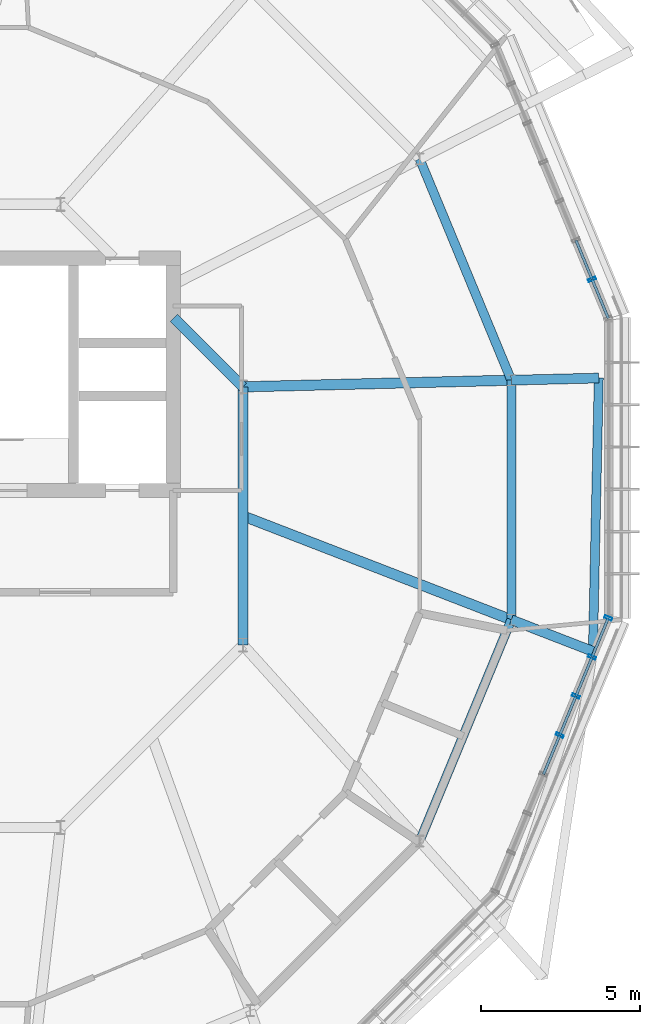
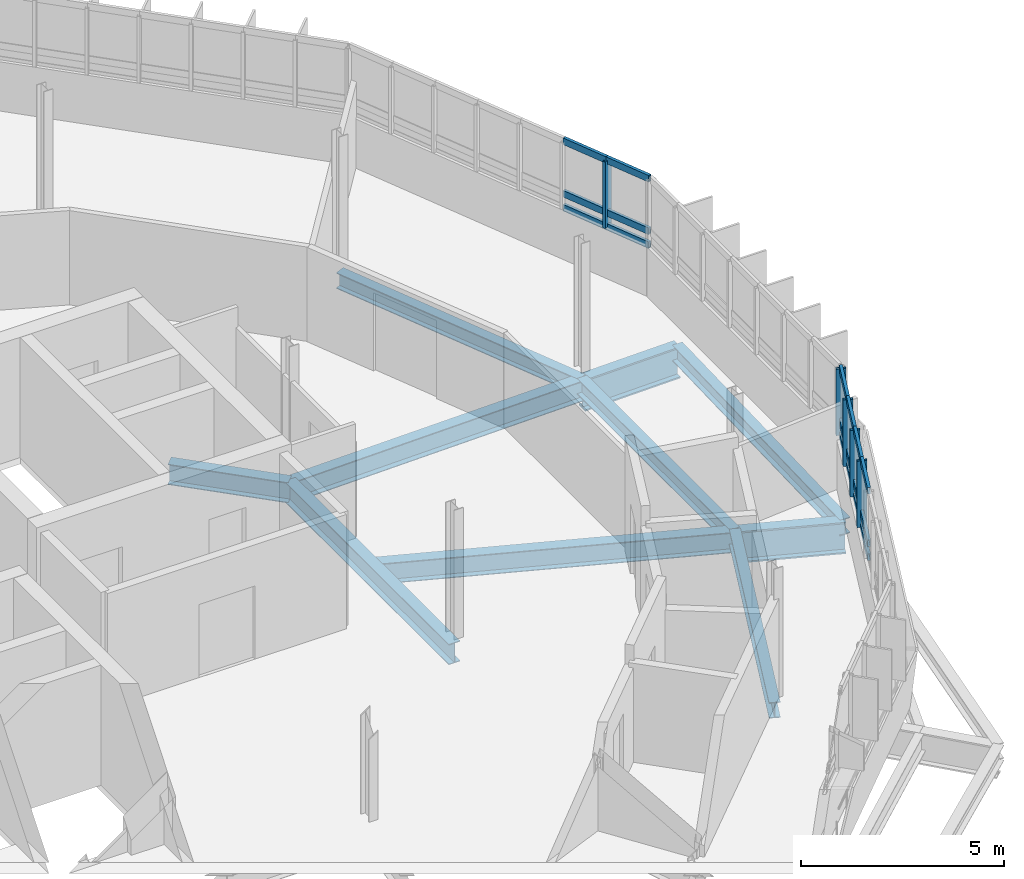
# One storey, part 14 of 31: 23 members, 10 beams, 2 elements without a shape of their own.
"""IFC4 building model written with IfcOpenShell, lengths in metres."""

from ifc_helpers import new_model, si_unit, derived_unit, direction, frame, origin, origin_2d, place, context, subcontext, project, spatial, hollow_rectangle, i_section, extrude, material, layer, layer_set, material_profile, profile_set, type_object, element, aggregate, save


model = new_model("IFC4")

# Units and contexts
model_context = context("Model", 3, precision=1e-05, world=origin(), true_north=direction((0.0, 1.0)))
body_context = subcontext(model_context, "Body", "Model", "MODEL_VIEW")
ifc_project = project(units=[si_unit("LENGTHUNIT", "METRE"), si_unit("AREAUNIT", "SQUARE_METRE"), si_unit("VOLUMEUNIT", "CUBIC_METRE"), si_unit("PLANEANGLEUNIT", "RADIAN"), si_unit("MASSUNIT", "GRAM", prefix="KILO"), derived_unit("THERMALTRANSMITTANCEUNIT", [(si_unit("MASSUNIT", "GRAM", prefix="KILO"), 1), (si_unit("TIMEUNIT", "SECOND"), -3), (si_unit("THERMODYNAMICTEMPERATUREUNIT", "KELVIN"), -1)])], contexts=[model_context])

# Site, building, storey
site_placement = place(None, origin())
site = spatial("IfcSite", under=ifc_project, at=site_placement, CompositionType="ELEMENT")
building_placement = place(site_placement, origin())
building = spatial("IfcBuilding", under=site, at=building_placement, Name="Makaiwela Harbour Ferry Terminal", CompositionType="ELEMENT")
storey_placement = place(building_placement, frame((0.0, 0.0, 21.60009765625)))
storey = spatial("IfcBuildingStorey", under=building, at=storey_placement, Name="L05", CompositionType="ELEMENT", Elevation=21.60009765625)

# Curtain wall, member
ifc_material_1 = material(Name="Marine anodised aluminium 6063-T6", Category="aluminium")
ifc_layer = layer(ifc_material_1, 0.199951171875)
ifc_layer_set = layer_set([ifc_layer], Name="Marine anodised aluminium 6063-T6")
curtain_wall_type = type_object("IfcCurtainWallType", Name="ENV-CW-07", PredefinedType="USERDEFINED", material=ifc_layer_set)
curtain_wall_1_placement = place(storey_placement, origin())
curtain_wall_1 = element("IfcCurtainWall", 1, at=curtain_wall_1_placement, inside=storey, type_object=curtain_wall_type, Name="Unitised Curtain Wall CWA-058", ObjectType="UNITIZED CURTAIN WALL", PredefinedType="USERDEFINED")
ifc_material_profile_1 = material_profile(ifc_material_1, hollow_rectangle(XDim=0.0849609375, YDim=0.25, WallThickness=0.0048828125, at=origin_2d()), Name="CWM-250X85")
ifc_profile_set_1 = profile_set([ifc_material_profile_1], Name="Marine anodised aluminium 6063-T6")
member_type_1 = type_object("IfcMemberType", Name="CW-MUL-250", PredefinedType="MULLION", material=ifc_profile_set_1)
member_1_placement = place(storey_placement, frame((58.568603515625, 75.037841796875, 1.47998046875), z_axis=(0.0, 0.0, 1.0), x_axis=(-0.382683432365, 0.923879532511, 0.0)))
member_1 = element("IfcMember", 2, at=member_1_placement, type_object=member_type_1, Name="Curtain Wall Mullion CWA-058-2", PredefinedType="MULLION", context=body_context, shape_type="SweptSolid", body=[
    extrude(hollow_rectangle(XDim=0.0849609375, YDim=0.25, WallThickness=0.0048828125, at=origin_2d()), origin(), (0.0, 0.0, 1.0), 2.0),
])

# Curtain wall, members
curtain_wall_2_placement = place(storey_placement, origin())
curtain_wall_2 = element("IfcCurtainWall", 3, at=curtain_wall_2_placement, inside=storey, type_object=curtain_wall_type, Name="Unitised Curtain Wall CWA-070", ObjectType="UNITIZED CURTAIN WALL", PredefinedType="USERDEFINED")
member_2_placement = place(storey_placement, frame((57.551513671875, 60.7060546875, 1.47998046875), z_axis=(0.0, 0.0, 1.0), x_axis=(0.382683432365, 0.923879532511, 0.0)))
member_2 = element("IfcMember", 4, at=member_2_placement, type_object=member_type_1, Name="Curtain Wall Mullion CWA-070-5", PredefinedType="MULLION", context=body_context, shape_type="SweptSolid", body=[
    extrude(hollow_rectangle(XDim=0.0849609375, YDim=0.25, WallThickness=0.0048828125, at=origin_2d()), origin(), (0.0, 0.0, 1.0), 2.0),
])
member_3_placement = place(storey_placement, frame((58.06005859375, 61.93408203125, 1.47998046875), z_axis=(0.0, 0.0, 1.0), x_axis=(0.382683432365, 0.923879532511, 0.0)))
member_3 = element("IfcMember", 5, at=member_3_placement, type_object=member_type_1, Name="Curtain Wall Mullion CWA-070-6", PredefinedType="MULLION", context=body_context, shape_type="SweptSolid", body=[
    extrude(hollow_rectangle(XDim=0.0849609375, YDim=0.25, WallThickness=0.0048828125, at=origin_2d()), origin(), (0.0, 0.0, 1.0), 2.0),
])
member_4_placement = place(storey_placement, frame((58.568603515625, 63.162109375, 1.47998046875), z_axis=(0.0, 0.0, 1.0), x_axis=(0.382683432365, 0.923879532511, 0.0)))
member_4 = element("IfcMember", 6, at=member_4_placement, type_object=member_type_1, Name="Curtain Wall Mullion CWA-070-7", PredefinedType="MULLION", context=body_context, shape_type="SweptSolid", body=[
    extrude(hollow_rectangle(XDim=0.0849609375, YDim=0.25, WallThickness=0.0048828125, at=origin_2d()), origin(), (0.0, 0.0, 1.0), 2.0),
])
member_5_placement = place(storey_placement, frame((59.077392578125, 64.39013671875, 1.47998046875), z_axis=(0.0, 0.0, 1.0), x_axis=(0.382683432365, 0.923879532511, 0.0)))
member_5 = element("IfcMember", 7, at=member_5_placement, type_object=member_type_1, Name="Curtain Wall Mullion CWA-070-8", PredefinedType="MULLION", context=body_context, shape_type="SweptSolid", body=[
    extrude(hollow_rectangle(XDim=0.0849609375, YDim=0.25, WallThickness=0.0048828125, at=origin_2d()), origin(), (0.0, 0.0, 1.0), 2.0),
])

# Member
ifc_material_profile_2 = material_profile(ifc_material_1, hollow_rectangle(XDim=0.0849609375, YDim=0.199951171875, WallThickness=0.0048828125, at=origin_2d()), Name="CWT-200X85")
ifc_profile_set_2 = profile_set([ifc_material_profile_2], Name="Marine anodised aluminium 6063-T6")
member_type_2 = type_object("IfcMemberType", Name="CW-TRN-200", PredefinedType="USERDEFINED", material=ifc_profile_set_2)
member_6_placement = place(storey_placement, frame((59.077392578125, 73.809814453125, 1.47998046875), z_axis=(-0.382762722221, 0.923846685591, 0.0), x_axis=(-0.923846685591, -0.382762722221, 0.0)))
member_6 = element("IfcMember", 8, at=member_6_placement, type_object=member_type_2, Name="Curtain Wall Transom CWA-058-1-1", ObjectType="TRANSOM", PredefinedType="USERDEFINED", context=body_context, shape_type="SweptSolid", body=[
    extrude(hollow_rectangle(XDim=0.0849609375, YDim=0.199951171875, WallThickness=0.0048828125, at=origin_2d()), origin(), (0.0, 0.0, 1.0), 1.329345703125),
])

member_7_placement = place(storey_placement, frame((59.077392578125, 73.809814453125, 1.89990234375), z_axis=(-0.382762722221, 0.923846685591, 0.0), x_axis=(-0.923846685591, -0.382762722221, 0.0)))
member_7 = element("IfcMember", 9, at=member_7_placement, type_object=member_type_2, Name="Curtain Wall Transom CWA-058-1-2", ObjectType="TRANSOM", PredefinedType="USERDEFINED", context=body_context, shape_type="SweptSolid", body=[
    extrude(hollow_rectangle(XDim=0.0849609375, YDim=0.199951171875, WallThickness=0.0048828125, at=origin_2d()), origin(), (0.0, 0.0, 1.0), 1.329345703125),
])

member_8_placement = place(storey_placement, frame((59.077392578125, 73.809814453125, 3.47998046875), z_axis=(-0.382762722221, 0.923846685591, 0.0), x_axis=(-0.923846685591, -0.382762722221, 0.0)))
member_8 = element("IfcMember", 10, at=member_8_placement, type_object=member_type_2, Name="Curtain Wall Transom CWA-058-1-3", ObjectType="TRANSOM", PredefinedType="USERDEFINED", context=body_context, shape_type="SweptSolid", body=[
    extrude(hollow_rectangle(XDim=0.0849609375, YDim=0.199951171875, WallThickness=0.0048828125, at=origin_2d()), origin(), (0.0, 0.0, 1.0), 1.329345703125),
])

member_9_placement = place(storey_placement, frame((58.568603515625, 75.037841796875, 1.47998046875), z_axis=(-0.382605946964, 0.923911624209, 0.0), x_axis=(-0.923911624209, -0.382605946964, 0.0)))
member_9 = element("IfcMember", 11, at=member_9_placement, type_object=member_type_2, Name="Curtain Wall Transom CWA-058-2-1", ObjectType="TRANSOM", PredefinedType="USERDEFINED", context=body_context, shape_type="SweptSolid", body=[
    extrude(hollow_rectangle(XDim=0.0849609375, YDim=0.199951171875, WallThickness=0.0048828125, at=origin_2d()), origin(), (0.0, 0.0, 1.0), 1.3291015625),
])

member_10_placement = place(storey_placement, frame((58.568603515625, 75.037841796875, 1.89990234375), z_axis=(-0.382605946964, 0.923911624209, 0.0), x_axis=(-0.923911624209, -0.382605946964, 0.0)))
member_10 = element("IfcMember", 12, at=member_10_placement, type_object=member_type_2, Name="Curtain Wall Transom CWA-058-2-2", ObjectType="TRANSOM", PredefinedType="USERDEFINED", context=body_context, shape_type="SweptSolid", body=[
    extrude(hollow_rectangle(XDim=0.0849609375, YDim=0.199951171875, WallThickness=0.0048828125, at=origin_2d()), origin(), (0.0, 0.0, 1.0), 1.3291015625),
])

member_11_placement = place(storey_placement, frame((58.568603515625, 75.037841796875, 3.47998046875), z_axis=(-0.382605946964, 0.923911624209, 0.0), x_axis=(-0.923911624209, -0.382605946964, 0.0)))
member_11 = element("IfcMember", 13, at=member_11_placement, type_object=member_type_2, Name="Curtain Wall Transom CWA-058-2-3", ObjectType="TRANSOM", PredefinedType="USERDEFINED", context=body_context, shape_type="SweptSolid", body=[
    extrude(hollow_rectangle(XDim=0.0849609375, YDim=0.199951171875, WallThickness=0.0048828125, at=origin_2d()), origin(), (0.0, 0.0, 1.0), 1.3291015625),
])

aggregate(curtain_wall_1, [member_1, member_6, member_7, member_8, member_9, member_10, member_11])

member_12_placement = place(storey_placement, frame((57.042724609375, 59.47802734375, 1.47998046875), z_axis=(0.382762722221, 0.923846685591, 0.0), x_axis=(-0.923846685591, 0.382762722221, 0.0)))
member_12 = element("IfcMember", 14, at=member_12_placement, type_object=member_type_2, Name="Curtain Wall Transom CWA-070-4-1", ObjectType="TRANSOM", PredefinedType="USERDEFINED", context=body_context, shape_type="SweptSolid", body=[
    extrude(hollow_rectangle(XDim=0.0849609375, YDim=0.199951171875, WallThickness=0.0048828125, at=origin_2d()), origin(), (0.0, 0.0, 1.0), 1.329345703125),
])

member_13_placement = place(storey_placement, frame((57.042724609375, 59.47802734375, 1.89990234375), z_axis=(0.382762722221, 0.923846685591, 0.0), x_axis=(-0.923846685591, 0.382762722221, 0.0)))
member_13 = element("IfcMember", 15, at=member_13_placement, type_object=member_type_2, Name="Curtain Wall Transom CWA-070-4-2", ObjectType="TRANSOM", PredefinedType="USERDEFINED", context=body_context, shape_type="SweptSolid", body=[
    extrude(hollow_rectangle(XDim=0.0849609375, YDim=0.199951171875, WallThickness=0.0048828125, at=origin_2d()), origin(), (0.0, 0.0, 1.0), 1.329345703125),
])

member_14_placement = place(storey_placement, frame((57.042724609375, 59.47802734375, 3.47998046875), z_axis=(0.382762722221, 0.923846685591, 0.0), x_axis=(-0.923846685591, 0.382762722221, 0.0)))
member_14 = element("IfcMember", 16, at=member_14_placement, type_object=member_type_2, Name="Curtain Wall Transom CWA-070-4-3", ObjectType="TRANSOM", PredefinedType="USERDEFINED", context=body_context, shape_type="SweptSolid", body=[
    extrude(hollow_rectangle(XDim=0.0849609375, YDim=0.199951171875, WallThickness=0.0048828125, at=origin_2d()), origin(), (0.0, 0.0, 1.0), 1.329345703125),
])

member_15_placement = place(storey_placement, frame((57.551513671875, 60.7060546875, 1.47998046875), z_axis=(0.382605946964, 0.923911624209, 0.0), x_axis=(-0.923911624209, 0.382605946964, 0.0)))
member_15 = element("IfcMember", 17, at=member_15_placement, type_object=member_type_2, Name="Curtain Wall Transom CWA-070-5-1", ObjectType="TRANSOM", PredefinedType="USERDEFINED", context=body_context, shape_type="SweptSolid", body=[
    extrude(hollow_rectangle(XDim=0.0849609375, YDim=0.199951171875, WallThickness=0.0048828125, at=origin_2d()), origin(), (0.0, 0.0, 1.0), 1.3291015625),
])

member_16_placement = place(storey_placement, frame((57.551513671875, 60.7060546875, 1.89990234375), z_axis=(0.382605946964, 0.923911624209, 0.0), x_axis=(-0.923911624209, 0.382605946964, 0.0)))
member_16 = element("IfcMember", 18, at=member_16_placement, type_object=member_type_2, Name="Curtain Wall Transom CWA-070-5-2", ObjectType="TRANSOM", PredefinedType="USERDEFINED", context=body_context, shape_type="SweptSolid", body=[
    extrude(hollow_rectangle(XDim=0.0849609375, YDim=0.199951171875, WallThickness=0.0048828125, at=origin_2d()), origin(), (0.0, 0.0, 1.0), 1.3291015625),
])

member_17_placement = place(storey_placement, frame((57.551513671875, 60.7060546875, 3.47998046875), z_axis=(0.382605946964, 0.923911624209, 0.0), x_axis=(-0.923911624209, 0.382605946964, 0.0)))
member_17 = element("IfcMember", 19, at=member_17_placement, type_object=member_type_2, Name="Curtain Wall Transom CWA-070-5-3", ObjectType="TRANSOM", PredefinedType="USERDEFINED", context=body_context, shape_type="SweptSolid", body=[
    extrude(hollow_rectangle(XDim=0.0849609375, YDim=0.199951171875, WallThickness=0.0048828125, at=origin_2d()), origin(), (0.0, 0.0, 1.0), 1.3291015625),
])

member_18_placement = place(storey_placement, frame((58.06005859375, 61.93408203125, 1.47998046875), z_axis=(0.382605946964, 0.923911624209, 0.0), x_axis=(-0.923911624209, 0.382605946964, 0.0)))
member_18 = element("IfcMember", 20, at=member_18_placement, type_object=member_type_2, Name="Curtain Wall Transom CWA-070-6-1", ObjectType="TRANSOM", PredefinedType="USERDEFINED", context=body_context, shape_type="SweptSolid", body=[
    extrude(hollow_rectangle(XDim=0.0849609375, YDim=0.199951171875, WallThickness=0.0048828125, at=origin_2d()), origin(), (0.0, 0.0, 1.0), 1.3291015625),
])

member_19_placement = place(storey_placement, frame((58.06005859375, 61.93408203125, 1.89990234375), z_axis=(0.382605946964, 0.923911624209, 0.0), x_axis=(-0.923911624209, 0.382605946964, 0.0)))
member_19 = element("IfcMember", 21, at=member_19_placement, type_object=member_type_2, Name="Curtain Wall Transom CWA-070-6-2", ObjectType="TRANSOM", PredefinedType="USERDEFINED", context=body_context, shape_type="SweptSolid", body=[
    extrude(hollow_rectangle(XDim=0.0849609375, YDim=0.199951171875, WallThickness=0.0048828125, at=origin_2d()), origin(), (0.0, 0.0, 1.0), 1.3291015625),
])

member_20_placement = place(storey_placement, frame((58.06005859375, 61.93408203125, 3.47998046875), z_axis=(0.382605946964, 0.923911624209, 0.0), x_axis=(-0.923911624209, 0.382605946964, 0.0)))
member_20 = element("IfcMember", 22, at=member_20_placement, type_object=member_type_2, Name="Curtain Wall Transom CWA-070-6-3", ObjectType="TRANSOM", PredefinedType="USERDEFINED", context=body_context, shape_type="SweptSolid", body=[
    extrude(hollow_rectangle(XDim=0.0849609375, YDim=0.199951171875, WallThickness=0.0048828125, at=origin_2d()), origin(), (0.0, 0.0, 1.0), 1.3291015625),
])

member_21_placement = place(storey_placement, frame((58.568603515625, 63.162109375, 1.47998046875), z_axis=(0.382762722221, 0.923846685591, 0.0), x_axis=(-0.923846685591, 0.382762722221, 0.0)))
member_21 = element("IfcMember", 23, at=member_21_placement, type_object=member_type_2, Name="Curtain Wall Transom CWA-070-7-1", ObjectType="TRANSOM", PredefinedType="USERDEFINED", context=body_context, shape_type="SweptSolid", body=[
    extrude(hollow_rectangle(XDim=0.0849609375, YDim=0.199951171875, WallThickness=0.0048828125, at=origin_2d()), origin(), (0.0, 0.0, 1.0), 1.329345703125),
])

member_22_placement = place(storey_placement, frame((58.568603515625, 63.162109375, 1.89990234375), z_axis=(0.382762722221, 0.923846685591, 0.0), x_axis=(-0.923846685591, 0.382762722221, 0.0)))
member_22 = element("IfcMember", 24, at=member_22_placement, type_object=member_type_2, Name="Curtain Wall Transom CWA-070-7-2", ObjectType="TRANSOM", PredefinedType="USERDEFINED", context=body_context, shape_type="SweptSolid", body=[
    extrude(hollow_rectangle(XDim=0.0849609375, YDim=0.199951171875, WallThickness=0.0048828125, at=origin_2d()), origin(), (0.0, 0.0, 1.0), 1.329345703125),
])

member_23_placement = place(storey_placement, frame((58.568603515625, 63.162109375, 3.47998046875), z_axis=(0.382762722221, 0.923846685591, 0.0), x_axis=(-0.923846685591, 0.382762722221, 0.0)))
member_23 = element("IfcMember", 25, at=member_23_placement, type_object=member_type_2, Name="Curtain Wall Transom CWA-070-7-3", ObjectType="TRANSOM", PredefinedType="USERDEFINED", context=body_context, shape_type="SweptSolid", body=[
    extrude(hollow_rectangle(XDim=0.0849609375, YDim=0.199951171875, WallThickness=0.0048828125, at=origin_2d()), origin(), (0.0, 0.0, 1.0), 1.329345703125),
])

aggregate(curtain_wall_2, [member_2, member_3, member_4, member_5, member_12, member_13, member_14, member_15, member_16, member_17, member_18, member_19, member_20, member_21, member_22, member_23])

# Beams
ifc_material_2 = material(Name="Steel ASTM A992 Grade 50", Category="steel")
ifc_material_profile_3 = material_profile(ifc_material_2, i_section(OverallWidth=0.324951171875, OverallDepth=0.615966796875, WebThickness=0.013916015625, FlangeThickness=0.021484375, at=origin_2d()), Name="W24X117")
ifc_profile_set_3 = profile_set([ifc_material_profile_3], Name="Steel ASTM A992 Grade 50")
beam_type_1 = type_object("IfcBeamType", Name="STR-GRD-W24X117", PredefinedType="USERDEFINED", material=ifc_profile_set_3)
beam_1_placement = place(storey_placement, frame((47.593017578125, 71.656494140625, -0.55810546875), z_axis=(-0.707106781187, 0.707106781187, 0.0), x_axis=(-0.707106781187, -0.707106781187, 0.0)))
element("IfcBeam", 26, at=beam_1_placement, inside=storey, type_object=beam_type_1, Name="Drum inner ring girder 496", ObjectType="GIRDER", PredefinedType="USERDEFINED", context=body_context, shape_type="SweptSolid", body=[
    extrude(i_section(OverallWidth=0.324951171875, OverallDepth=0.615966796875, WebThickness=0.013916015625, FlangeThickness=0.021484375, at=origin_2d()), origin(), (0.0, 0.0, 1.0), 3.0732421875),
])
beam_2_placement = place(storey_placement, frame((47.593017578125, 63.543701171875, -0.55810546875), z_axis=(0.0, 1.0, 0.0), x_axis=(-1.0, 0.0, 0.0)))
element("IfcBeam", 27, at=beam_2_placement, inside=storey, type_object=beam_type_1, Name="Drum inner ring girder 506", ObjectType="GIRDER", PredefinedType="USERDEFINED", context=body_context, shape_type="SweptSolid", body=[
    extrude(i_section(OverallWidth=0.324951171875, OverallDepth=0.615966796875, WebThickness=0.013916015625, FlangeThickness=0.021484375, at=origin_2d()), origin(), (0.0, 0.0, 1.0), 8.11279296875),
])
beam_3_placement = place(storey_placement, frame((47.593017578125, 71.656494140625, -0.55810546875), z_axis=(0.999694028426, 0.024735592369, 0.0), x_axis=(-0.024735592369, 0.999694028426, 0.0)))
element("IfcBeam", 28, at=beam_3_placement, inside=storey, type_object=beam_type_1, Name="Drum radial girder 523", ObjectType="GIRDER", PredefinedType="USERDEFINED", context=body_context, shape_type="SweptSolid", body=[
    extrude(i_section(OverallWidth=0.324951171875, OverallDepth=0.615966796875, WebThickness=0.013916015625, FlangeThickness=0.021484375, at=origin_2d()), origin(), (0.0, 0.0, 1.0), 8.43896484375),
])
beam_4_placement = place(storey_placement, frame((47.593017578125, 67.60009765625, -0.55810546875), z_axis=(0.932578355868, -0.360967602655, 0.0), x_axis=(0.360967602655, 0.932578355868, 0.0)))
element("IfcBeam", 29, at=beam_4_placement, inside=storey, type_object=beam_type_1, Name="Drum radial girder 577", ObjectType="GIRDER", PredefinedType="USERDEFINED", context=body_context, shape_type="SweptSolid", body=[
    extrude(i_section(OverallWidth=0.324951171875, OverallDepth=0.615966796875, WebThickness=0.013916015625, FlangeThickness=0.021484375, at=origin_2d()), origin(), (0.0, 0.0, 1.0), 9.046142578125),
])
ifc_material_profile_4 = material_profile(ifc_material_2, i_section(OverallWidth=0.31005859375, OverallDepth=0.949951171875, WebThickness=0.0244140625, FlangeThickness=0.0439453125, at=origin_2d()), Name="W36X256")
ifc_profile_set_4 = profile_set([ifc_material_profile_4], Name="Steel ASTM A992 Grade 50")
beam_type_2 = type_object("IfcBeamType", Name="STR-GRD-W36X256", PredefinedType="USERDEFINED", material=ifc_profile_set_4)
for number, where, z_axis, x_axis, name in (
    (30, (56.029296875, 71.865234375, -0.72509765625), (0.999695361824, 0.024681643924, 0.0), (-0.024681643924, 0.999695361824, 0.0), "Drum radial overhang 524"),
    (31, (56.029296875, 64.334716796875, -0.72509765625), (0.932599912702, -0.360911904525, 0.0), (0.360911904525, 0.932599912702, 0.0), "Drum radial overhang 578"),
):
    element("IfcBeam", number, at=place(storey_placement, frame(where, z_axis=z_axis, x_axis=x_axis)), inside=storey, type_object=beam_type_2, Name=name, ObjectType="GIRDER", PredefinedType="USERDEFINED", context=body_context, shape_type="SweptSolid", body=[
        extrude(i_section(OverallWidth=0.31005859375, OverallDepth=0.949951171875, WebThickness=0.0244140625, FlangeThickness=0.0439453125, at=origin_2d()), origin(), (0.0, 0.0, 1.0), 2.749755859375),
    ])
ifc_material_profile_5 = material_profile(ifc_material_2, i_section(OverallWidth=0.283935546875, OverallDepth=0.47607421875, WebThickness=0.014892578125, FlangeThickness=0.02392578125, at=origin_2d()), Name="W18X106")
ifc_profile_set_5 = profile_set([ifc_material_profile_5], Name="Steel ASTM A992 Grade 50")
beam_type_3 = type_object("IfcBeamType", Name="STR-SPN-W18X106", PredefinedType="SPANDREL", material=ifc_profile_set_5)
for number, where, z_axis, x_axis, name in (
    (32, (56.029296875, 71.865234375, -0.488037109375), (-0.382687752376, 0.923877743092, 0.0), (-0.923877743092, -0.382687752376, 0.0), "Drum column ring girder 507"),
    (33, (53.1474609375, 57.37744140625, -0.488037109375), (0.382687752376, 0.923877743092, 0.0), (-0.923877743092, 0.382687752376, 0.0), "Drum column ring girder 521"),
    (34, (56.029296875, 64.334716796875, -0.488037109375), (0.0, 1.0, 0.0), (-1.0, 0.0, 0.0), "Drum column ring girder 522"),
):
    element("IfcBeam", number, at=place(storey_placement, frame(where, z_axis=z_axis, x_axis=x_axis)), inside=storey, type_object=beam_type_3, Name=name, PredefinedType="SPANDREL", context=body_context, shape_type="SweptSolid", body=[
        extrude(i_section(OverallWidth=0.283935546875, OverallDepth=0.47607421875, WebThickness=0.014892578125, FlangeThickness=0.02392578125, at=origin_2d()), origin(), (0.0, 0.0, 1.0), 7.530517578125),
    ])
beam_5_placement = place(storey_placement, frame((58.59375, 63.34228515625, -0.488037109375), z_axis=(0.021479640223, 0.999769285913, 0.0), x_axis=(-0.999769285913, 0.021479640223, 0.0)))
element("IfcBeam", 35, at=beam_5_placement, inside=storey, type_object=beam_type_3, Name="Drum perimeter spandrel 617", PredefinedType="SPANDREL", context=body_context, shape_type="SweptSolid", body=[
    extrude(i_section(OverallWidth=0.283935546875, OverallDepth=0.47607421875, WebThickness=0.014892578125, FlangeThickness=0.02392578125, at=origin_2d()), origin(), (0.0, 0.0, 1.0), 8.5927734375),
])

save(model, "model.ifc")
